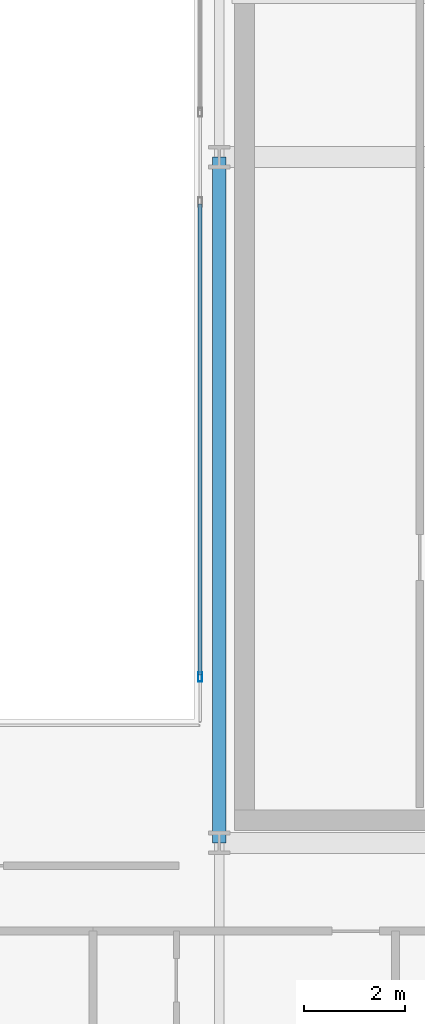
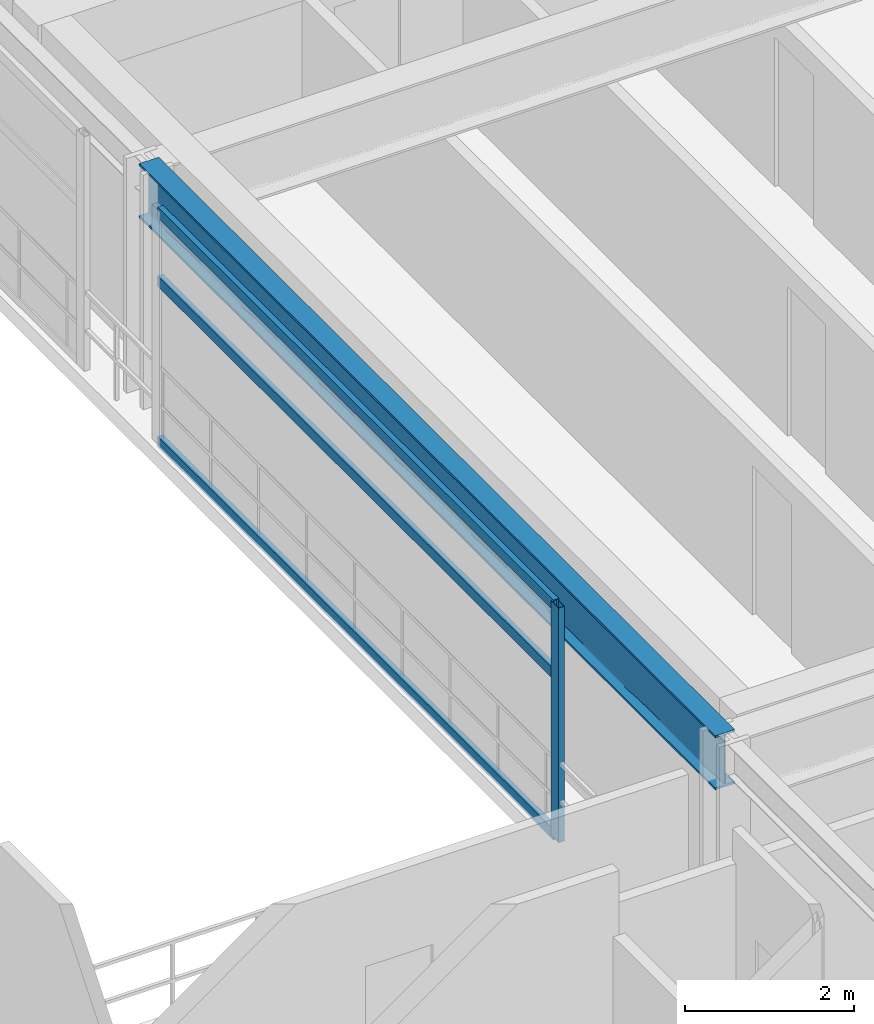
# One storey, part 10 of 29: 4 members, 1 beam, 1 element without a shape of its own.
"""IFC4 building model written with IfcOpenShell, lengths in metres."""

from ifc_helpers import new_model, si_unit, direction, frame, origin, origin_2d, place, context, subcontext, project, spatial, hollow_rectangle, i_section, extrude, source, transform, mapped, material, layer, layer_set, material_profile, profile_set, type_object, element, aggregate, save


model = new_model("IFC4")

# Units and contexts
model_context = context("Model", 3, precision=1e-05, world=origin(), true_north=direction((0.0, 1.0)))
body_context = subcontext(model_context, "Body", "Model", "MODEL_VIEW")
ifc_project = project(units=[si_unit("LENGTHUNIT", "METRE"), si_unit("AREAUNIT", "SQUARE_METRE"), si_unit("VOLUMEUNIT", "CUBIC_METRE"), si_unit("PLANEANGLEUNIT", "RADIAN"), si_unit("MASSUNIT", "GRAM", prefix="KILO")], contexts=[model_context])

# Site, building, storey
site_placement = place(None, origin())
site = spatial("IfcSite", under=ifc_project, at=site_placement, CompositionType="ELEMENT")
building_placement = place(site_placement, origin())
building = spatial("IfcBuilding", under=site, at=building_placement, Name="Ocotamira Hotel", CompositionType="ELEMENT")
storey_placement = place(building_placement, frame((0.0, 0.0, 236.39990234375)))
storey = spatial("IfcBuildingStorey", under=building, at=storey_placement, Name="L59", CompositionType="ELEMENT", Elevation=236.39990234375)

# Beam
ifc_material_1 = material(Name="Steel ASTM A992 Grade 50", Category="steel")
ifc_material_profile_1 = material_profile(ifc_material_1, i_section(OverallWidth=0.26611328125, OverallDepth=0.779052734375, WebThickness=0.0166015625, FlangeThickness=0.030029296875, FilletRadius=0.01806640625, at=origin_2d()), Name="W30X148")
ifc_profile_set_1 = profile_set([ifc_material_profile_1], Name="Steel ASTM A992 Grade 50")
beam_type = type_object("IfcBeamType", Name="BM-GIRD-W30X148", PredefinedType="BEAM", material=ifc_profile_set_1)
shared_shape_1 = source(origin(), body_context, "Body", "SweptSolid", [
    extrude(i_section(OverallWidth=0.26611328125, OverallDepth=0.779052734375, WebThickness=0.0166015625, FlangeThickness=0.030029296875, FilletRadius=0.01806640625, at=origin_2d()), origin(), (0.0, 0.0, 1.0), 13.599853515625),
])
beam_placement = place(storey_placement, frame((40.5, 14.550048828125, 2.990478515625), z_axis=(0.0, 1.0, 0.0), x_axis=(-1.0, 0.0, 0.0)))
element("IfcBeam", 1, at=beam_placement, inside=storey, type_object=beam_type, Name="L59 Beam X40.5 Y14.55-28.15", PredefinedType="BEAM", context=body_context, shape_type="MappedRepresentation", body=[
    mapped(shared_shape_1, transform((0.0, 0.0, 0.0), scale=1.0)),
])

# Curtain wall, members
ifc_material_2 = material(Name="Anodised pale-metal aluminium and solar glass", Category="aluminium")
ifc_layer = layer(ifc_material_2, 0.159912109375)
ifc_layer_set = layer_set([ifc_layer], Name="Anodised pale-metal aluminium and solar glass")
curtain_wall_type = type_object("IfcCurtainWallType", Name="CW-SYS6-ATR", PredefinedType="NOTDEFINED", material=ifc_layer_set)
curtain_wall_placement = place(storey_placement, origin())
curtain_wall = element("IfcCurtainWall", 2, at=curtain_wall_placement, inside=storey, type_object=curtain_wall_type, Name="L59 Curtain Wall CW-6 CW-L59-ATRE1", PredefinedType="NOTDEFINED")
ifc_material_3 = material(Name="Anodised pale-metal aluminium 6063-T6", Category="aluminium")
ifc_material_profile_2 = material_profile(ifc_material_3, hollow_rectangle(XDim=0.080078125, YDim=0.179931640625, WallThickness=0.006103515625, at=origin_2d()), Name="HSS180X80X6")
ifc_profile_set_2 = profile_set([ifc_material_profile_2], Name="Anodised pale-metal aluminium 6063-T6")
member_type_1 = type_object("IfcMemberType", Name="CWM-180X75", PredefinedType="MULLION", material=ifc_profile_set_2)
shared_shape_2 = source(origin(), body_context, "Body", "SweptSolid", [
    extrude(hollow_rectangle(XDim=0.080078125, YDim=0.179931640625, WallThickness=0.006103515625, at=origin_2d()), origin(), (0.0, 0.0, 1.0), 3.380126953125),
])
member_1_placement = place(storey_placement, frame((40.1201171875, 17.840087890625, 0.0), z_axis=(0.0, 0.0, 1.0), x_axis=(-1.0, 0.0, 0.0)))
member_1 = element("IfcMember", 3, at=member_1_placement, type_object=member_type_1, Name="CW-6 mullion 1", PredefinedType="MULLION", context=body_context, shape_type="MappedRepresentation", body=[
    mapped(shared_shape_2, transform((0.0, 0.0, 0.0), scale=1.0)),
])
ifc_material_profile_3 = material_profile(ifc_material_3, hollow_rectangle(XDim=0.074951171875, YDim=0.14990234375, WallThickness=0.006103515625, at=origin_2d()), Name="HSS150X75X6")
ifc_profile_set_3 = profile_set([ifc_material_profile_3], Name="Anodised pale-metal aluminium 6063-T6")
member_type_2 = type_object("IfcMemberType", Name="CWT-150X75", PredefinedType="USERDEFINED", material=ifc_profile_set_3)
shared_shape_3 = source(origin(), body_context, "Body", "SweptSolid", [
    extrude(hollow_rectangle(XDim=0.074951171875, YDim=0.14990234375, WallThickness=0.006103515625, at=origin_2d()), origin(), (0.0, 0.0, 1.0), 9.340087890625),
])
member_2_placement = place(storey_placement, frame((40.1201171875, 17.8798828125, 0.03759765625), z_axis=(0.0, 1.0, 0.0), x_axis=(-1.0, 0.0, 0.0)))
member_2 = element("IfcMember", 4, at=member_2_placement, type_object=member_type_2, Name="CW-6 transom 1.1", ObjectType="TRANSOM", PredefinedType="USERDEFINED", context=body_context, shape_type="MappedRepresentation", body=[
    mapped(shared_shape_3, transform((0.0, 0.0, 0.0), scale=1.0)),
])
member_3_placement = place(storey_placement, frame((40.1201171875, 17.8798828125, 2.35009765625), z_axis=(0.0, 1.0, 0.0), x_axis=(-1.0, 0.0, 0.0)))
member_3 = element("IfcMember", 5, at=member_3_placement, type_object=member_type_2, Name="CW-6 transom 1.2", ObjectType="TRANSOM", PredefinedType="USERDEFINED", context=body_context, shape_type="MappedRepresentation", body=[
    mapped(shared_shape_3, transform((0.0, 0.0, 0.0), scale=1.0)),
])
member_4_placement = place(storey_placement, frame((40.1201171875, 17.8798828125, 3.342529296875), z_axis=(0.0, 1.0, 0.0), x_axis=(-1.0, 0.0, 0.0)))
member_4 = element("IfcMember", 6, at=member_4_placement, type_object=member_type_2, Name="CW-6 transom 1.3", ObjectType="TRANSOM", PredefinedType="USERDEFINED", context=body_context, shape_type="MappedRepresentation", body=[
    mapped(shared_shape_3, transform((0.0, 0.0, 0.0), scale=1.0)),
])
aggregate(curtain_wall, [member_1, member_2, member_3, member_4])

save(model, "model.ifc")
